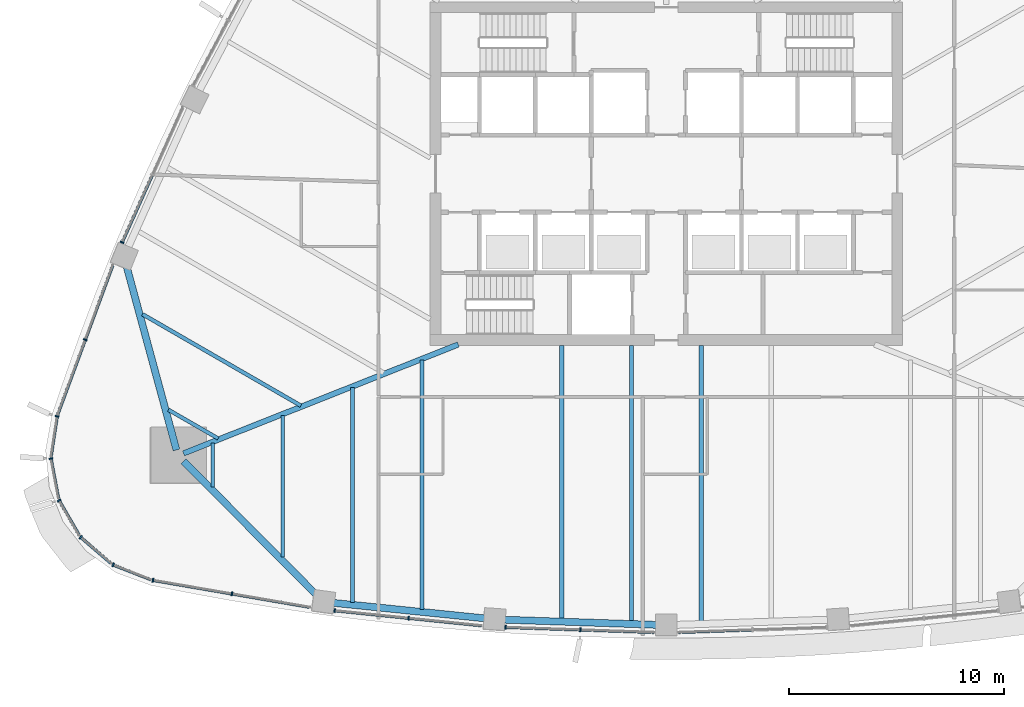
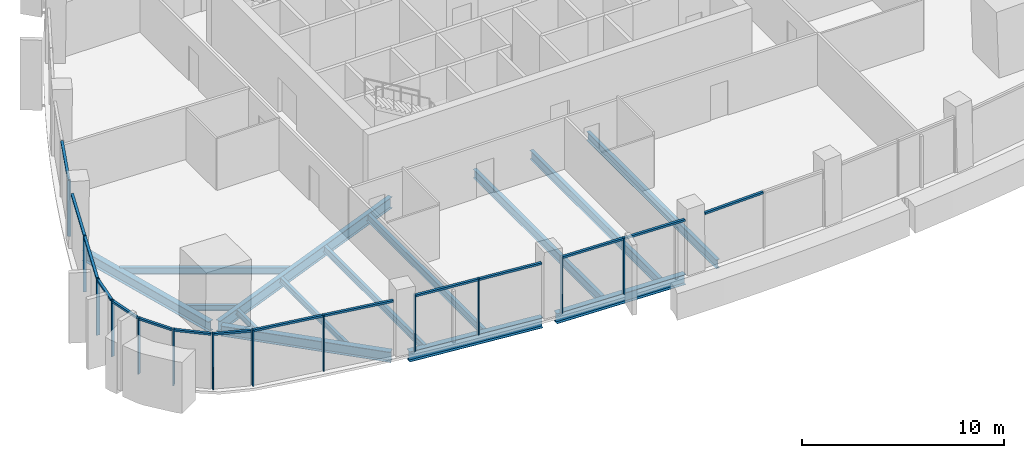
# One storey, part 2 of 19: 28 members, 14 beams, 11 elements without a shape of their own.
"""IFC4 building model written with IfcOpenShell, lengths in metres."""

from ifc_helpers import new_model, si_unit, direction, frame, origin, origin_2d, place, context, subcontext, project, spatial, rectangle, i_section, extrude, material, layer, layer_set, material_profile, profile_set, type_object, element, aggregate, save


model = new_model("IFC4")

# Units and contexts
model_context = context("Model", 3, precision=1e-05, world=origin(), true_north=direction((0.0, 1.0)))
body_context = subcontext(model_context, "Body", "Model", "MODEL_VIEW")
ifc_project = project(units=[si_unit("LENGTHUNIT", "METRE"), si_unit("AREAUNIT", "SQUARE_METRE"), si_unit("VOLUMEUNIT", "CUBIC_METRE"), si_unit("PLANEANGLEUNIT", "RADIAN"), si_unit("MASSUNIT", "GRAM", prefix="KILO")], contexts=[model_context])

# Site, building, storey
site_placement = place(None, origin())
site = spatial("IfcSite", under=ifc_project, at=site_placement, CompositionType="ELEMENT")
building_placement = place(site_placement, origin())
building = spatial("IfcBuilding", under=site, at=building_placement, Name="Sierra Prisma Convention Tower", CompositionType="ELEMENT")
storey_placement = place(building_placement, frame((0.0, 0.0, 209.800048828125)))
storey = spatial("IfcBuildingStorey", under=building, at=storey_placement, Name="L47", CompositionType="ELEMENT", Elevation=209.800048828125)

# Curtain wall, members
ifc_material_1 = material(Name="Aluminium and glass curtain wall", Category="aluminium")
ifc_layer = layer(ifc_material_1, 0.179931640625)
ifc_layer_set = layer_set([ifc_layer], Name="CW-1 Plain shaft curtain wall")
curtain_wall_type = type_object("IfcCurtainWallType", Name="CW-1 Plain shaft curtain wall", PredefinedType="NOTDEFINED", material=ifc_layer_set)
curtain_wall_1_placement = place(storey_placement, origin())
curtain_wall_1 = element("IfcCurtainWall", 1, at=curtain_wall_1_placement, inside=storey, type_object=curtain_wall_type, Name="CW-1 S1 L47", PredefinedType="NOTDEFINED")
ifc_material_2 = material(Name="Aluminium 6063-T6 bronze anodised", Category="aluminium")
ifc_material_profile_1 = material_profile(ifc_material_2, rectangle(XDim=0.179931640625, YDim=0.070068359375, at=origin_2d()), Name="ALU MULLION 70x180")
ifc_profile_set_1 = profile_set([ifc_material_profile_1], Name="Aluminium 6063-T6 bronze anodised")
member_type_1 = type_object("IfcMemberType", Name="CW mullion bronze", PredefinedType="MULLION", material=ifc_profile_set_1)
member_1_placement = place(storey_placement, frame((-23.903564453125, -18.933349609375, 0.0), z_axis=(0.0, 0.0, 1.0), x_axis=(0.1690553894, 0.985606551984, 0.0)))
member_1 = element("IfcMember", 2, at=member_1_placement, type_object=member_type_1, Name="CW-1 mullion S1.1", PredefinedType="MULLION", context=body_context, shape_type="SweptSolid", body=[
    extrude(rectangle(XDim=0.179931640625, YDim=0.070068359375, at=origin_2d()), origin(), (0.0, 0.0, 1.0), 3.39990234375),
])
member_2_placement = place(storey_placement, frame((-20.2255859375, -19.564208984375, 0.0), z_axis=(0.0, 0.0, 1.0), x_axis=(0.1690553894, 0.985606551984, 0.0)))
member_2 = element("IfcMember", 3, at=member_2_placement, type_object=member_type_1, Name="CW-1 mullion S1.2", PredefinedType="MULLION", context=body_context, shape_type="SweptSolid", body=[
    extrude(rectangle(XDim=0.179931640625, YDim=0.070068359375, at=origin_2d()), origin(), (0.0, 0.0, 1.0), 3.39990234375),
])

curtain_wall_2_placement = place(storey_placement, origin())
curtain_wall_2 = element("IfcCurtainWall", 4, at=curtain_wall_2_placement, inside=storey, type_object=curtain_wall_type, Name="CW-1 S2 L47", PredefinedType="NOTDEFINED")
member_3_placement = place(storey_placement, frame((-15.444091796875, -20.344482421875, 0.0), z_axis=(0.0, 0.0, 1.0), x_axis=(0.101746336288, 0.994810375424, 0.0)))
member_3 = element("IfcMember", 5, at=member_3_placement, type_object=member_type_1, Name="CW-1 mullion S2.1", PredefinedType="MULLION", context=body_context, shape_type="SweptSolid", body=[
    extrude(rectangle(XDim=0.179931640625, YDim=0.070068359375, at=origin_2d()), origin(), (0.0, 0.0, 1.0), 3.39990234375),
])
member_4_placement = place(storey_placement, frame((-12.00244140625, -20.696533203125, 0.0), z_axis=(0.0, 0.0, 1.0), x_axis=(0.101746336288, 0.994810375424, 0.0)))
member_4 = element("IfcMember", 6, at=member_4_placement, type_object=member_type_1, Name="CW-1 mullion S2.2", PredefinedType="MULLION", context=body_context, shape_type="SweptSolid", body=[
    extrude(rectangle(XDim=0.179931640625, YDim=0.070068359375, at=origin_2d()), origin(), (0.0, 0.0, 1.0), 3.39990234375),
])

curtain_wall_3_placement = place(storey_placement, origin())
curtain_wall_3 = element("IfcCurtainWall", 7, at=curtain_wall_3_placement, inside=storey, type_object=curtain_wall_type, Name="CW-1 S3 L47", PredefinedType="NOTDEFINED")
member_5_placement = place(storey_placement, frame((-7.481689453125, -21.121337890625, 0.0), z_axis=(0.0, 0.0, 1.0), x_axis=(0.033967701551, 0.999422931121, 0.0)))
member_5 = element("IfcMember", 8, at=member_5_placement, type_object=member_type_1, Name="CW-1 mullion S3.1", PredefinedType="MULLION", context=body_context, shape_type="SweptSolid", body=[
    extrude(rectangle(XDim=0.179931640625, YDim=0.070068359375, at=origin_2d()), origin(), (0.0, 0.0, 1.0), 3.39990234375),
])
member_6_placement = place(storey_placement, frame((-4.008056640625, -21.239501953125, 0.0), z_axis=(0.0, 0.0, 1.0), x_axis=(0.033967701551, 0.999422931121, 0.0)))
member_6 = element("IfcMember", 9, at=member_6_placement, type_object=member_type_1, Name="CW-1 mullion S3.2", PredefinedType="MULLION", context=body_context, shape_type="SweptSolid", body=[
    extrude(rectangle(XDim=0.179931640625, YDim=0.070068359375, at=origin_2d()), origin(), (0.0, 0.0, 1.0), 3.39990234375),
])

# Curtain wall, member
curtain_wall_4_placement = place(storey_placement, origin())
curtain_wall_4 = element("IfcCurtainWall", 10, at=curtain_wall_4_placement, inside=storey, type_object=curtain_wall_type, Name="CW-1 NW5 L47", PredefinedType="NOTDEFINED")
member_7_placement = place(storey_placement, frame((-25.3408203125, -3.20263671875, 0.0), z_axis=(0.0, 0.0, 1.0), x_axis=(0.91240422521, -0.409290275745, 0.0)))
member_7 = element("IfcMember", 11, at=member_7_placement, type_object=member_type_1, Name="CW-1 mullion NW5.3", PredefinedType="MULLION", context=body_context, shape_type="SweptSolid", body=[
    extrude(rectangle(XDim=0.179931640625, YDim=0.070068359375, at=origin_2d()), origin(), (0.0, 0.0, 1.0), 3.39990234375),
])

curtain_wall_5_placement = place(storey_placement, origin())
curtain_wall_5 = element("IfcCurtainWall", 12, at=curtain_wall_5_placement, inside=storey, type_object=curtain_wall_type, Name="CW-1 NW6 L47", PredefinedType="NOTDEFINED")
member_8_placement = place(storey_placement, frame((-27.055908203125, -7.73388671875, 0.0), z_axis=(0.0, 0.0, 1.0), x_axis=(0.938088006855, -0.346397014125, 0.0)))
member_8 = element("IfcMember", 13, at=member_8_placement, type_object=member_type_1, Name="CW-1 mullion NW6.2", PredefinedType="MULLION", context=body_context, shape_type="SweptSolid", body=[
    extrude(rectangle(XDim=0.179931640625, YDim=0.070068359375, at=origin_2d()), origin(), (0.0, 0.0, 1.0), 3.39990234375),
])

curtain_wall_6_placement = place(storey_placement, origin())
curtain_wall_6 = element("IfcCurtainWall", 14, at=curtain_wall_6_placement, inside=storey, type_object=curtain_wall_type, Name="CW-1 SW1 L47", PredefinedType="NOTDEFINED")
member_9_placement = place(storey_placement, frame((-28.365966796875, -11.3017578125, 0.0), z_axis=(0.0, 0.0, 1.0), x_axis=(0.98860866746, -0.150508812441, 0.0)))
member_9 = element("IfcMember", 15, at=member_9_placement, type_object=member_type_1, Name="CW-1 mullion SW1.1", PredefinedType="MULLION", context=body_context, shape_type="SweptSolid", body=[
    extrude(rectangle(XDim=0.179931640625, YDim=0.070068359375, at=origin_2d()), origin(), (0.0, 0.0, 1.0), 3.39990234375),
])

curtain_wall_7_placement = place(storey_placement, origin())
curtain_wall_7 = element("IfcCurtainWall", 16, at=curtain_wall_7_placement, inside=storey, type_object=curtain_wall_type, Name="CW-1 SW2 L47", PredefinedType="NOTDEFINED")
member_10_placement = place(storey_placement, frame((-28.6533203125, -13.26708984375, 0.0), z_axis=(0.0, 0.0, 1.0), x_axis=(0.982704082276, 0.185182846611, 0.0)))
member_10 = element("IfcMember", 17, at=member_10_placement, type_object=member_type_1, Name="CW-1 mullion SW2.1", PredefinedType="MULLION", context=body_context, shape_type="SweptSolid", body=[
    extrude(rectangle(XDim=0.179931640625, YDim=0.070068359375, at=origin_2d()), origin(), (0.0, 0.0, 1.0), 3.39990234375),
])

curtain_wall_8_placement = place(storey_placement, origin())
curtain_wall_8 = element("IfcCurtainWall", 18, at=curtain_wall_8_placement, inside=storey, type_object=curtain_wall_type, Name="CW-1 SW3 L47", PredefinedType="NOTDEFINED")
member_11_placement = place(storey_placement, frame((-28.274169921875, -15.216796875, 0.0), z_axis=(0.0, 0.0, 1.0), x_axis=(0.866025403784, 0.5, 0.0)))
member_11 = element("IfcMember", 19, at=member_11_placement, type_object=member_type_1, Name="CW-1 mullion SW3.1", PredefinedType="MULLION", context=body_context, shape_type="SweptSolid", body=[
    extrude(rectangle(XDim=0.179931640625, YDim=0.070068359375, at=origin_2d()), origin(), (0.0, 0.0, 1.0), 3.39990234375),
])

curtain_wall_9_placement = place(storey_placement, origin())
curtain_wall_9 = element("IfcCurtainWall", 20, at=curtain_wall_9_placement, inside=storey, type_object=curtain_wall_type, Name="CW-1 SW4 L47", PredefinedType="NOTDEFINED")
member_12_placement = place(storey_placement, frame((-27.271240234375, -16.930908203125, 0.0), z_axis=(0.0, 0.0, 1.0), x_axis=(0.651725090648, 0.758455276348, 0.0)))
member_12 = element("IfcMember", 21, at=member_12_placement, type_object=member_type_1, Name="CW-1 mullion SW4.1", PredefinedType="MULLION", context=body_context, shape_type="SweptSolid", body=[
    extrude(rectangle(XDim=0.179931640625, YDim=0.070068359375, at=origin_2d()), origin(), (0.0, 0.0, 1.0), 3.39990234375),
])

curtain_wall_10_placement = place(storey_placement, origin())
curtain_wall_10 = element("IfcCurtainWall", 22, at=curtain_wall_10_placement, inside=storey, type_object=curtain_wall_type, Name="CW-1 SW5 L47", PredefinedType="NOTDEFINED")
member_13_placement = place(storey_placement, frame((-25.757080078125, -18.216552734375, 0.0), z_axis=(0.0, 0.0, 1.0), x_axis=(0.363959878663, 0.931414626642, 0.0)))
member_13 = element("IfcMember", 23, at=member_13_placement, type_object=member_type_1, Name="CW-1 mullion SW5.1", PredefinedType="MULLION", context=body_context, shape_type="SweptSolid", body=[
    extrude(rectangle(XDim=0.179931640625, YDim=0.070068359375, at=origin_2d()), origin(), (0.0, 0.0, 1.0), 3.39990234375),
])

# Member
ifc_material_3 = material(Name="Aluminium 6063-T6 bronze anodised", Category="aluminium")
ifc_material_profile_2 = material_profile(ifc_material_3, rectangle(XDim=0.139892578125, YDim=0.1201171875, at=origin_2d()), Name="ALU TRANSOM 120x140")
ifc_profile_set_2 = profile_set([ifc_material_profile_2], Name="Aluminium 6063-T6 bronze anodised")
member_type_2 = type_object("IfcMemberType", Name="CW transom bronze", PredefinedType="USERDEFINED", material=ifc_profile_set_2)
member_14_placement = place(storey_placement, frame((-23.869140625, -18.939208984375, 3.33984375), z_axis=(0.985602579823, -0.169078545791, 0.0), x_axis=(0.169078545791, 0.985602579823, 0.0)))
member_14 = element("IfcMember", 24, at=member_14_placement, type_object=member_type_2, Name="CW-1 transom S1.1", ObjectType="TRANSOM", PredefinedType="USERDEFINED", context=body_context, shape_type="SweptSolid", body=[
    extrude(rectangle(XDim=0.139892578125, YDim=0.1201171875, at=origin_2d()), origin(), (0.0, 0.0, 1.0), 3.661865234375),
])

member_15_placement = place(storey_placement, frame((-20.191162109375, -19.570068359375, 3.33984375), z_axis=(0.985602579823, -0.169078545791, 0.0), x_axis=(0.169078545791, 0.985602579823, 0.0)))
member_15 = element("IfcMember", 25, at=member_15_placement, type_object=member_type_2, Name="CW-1 transom S1.2", ObjectType="TRANSOM", PredefinedType="USERDEFINED", context=body_context, shape_type="SweptSolid", body=[
    extrude(rectangle(XDim=0.139892578125, YDim=0.1201171875, at=origin_2d()), origin(), (0.0, 0.0, 1.0), 3.661865234375),
])

aggregate(curtain_wall_1, [member_1, member_2, member_14, member_15])

member_16_placement = place(storey_placement, frame((-15.4091796875, -20.347900390625, 3.33984375), z_axis=(0.994807088601, -0.101778467612, 0.0), x_axis=(0.101778467612, 0.994807088601, 0.0)))
member_16 = element("IfcMember", 26, at=member_16_placement, type_object=member_type_2, Name="CW-1 transom S2.1", ObjectType="TRANSOM", PredefinedType="USERDEFINED", context=body_context, shape_type="SweptSolid", body=[
    extrude(rectangle(XDim=0.139892578125, YDim=0.1201171875, at=origin_2d()), origin(), (0.0, 0.0, 1.0), 3.389404296875),
])

member_17_placement = place(storey_placement, frame((-11.967529296875, -20.699951171875, 3.33984375), z_axis=(0.994807088601, -0.101778467612, 0.0), x_axis=(0.101778467612, 0.994807088601, 0.0)))
member_17 = element("IfcMember", 27, at=member_17_placement, type_object=member_type_2, Name="CW-1 transom S2.2", ObjectType="TRANSOM", PredefinedType="USERDEFINED", context=body_context, shape_type="SweptSolid", body=[
    extrude(rectangle(XDim=0.139892578125, YDim=0.1201171875, at=origin_2d()), origin(), (0.0, 0.0, 1.0), 3.389404296875),
])

aggregate(curtain_wall_2, [member_3, member_4, member_16, member_17])

member_18_placement = place(storey_placement, frame((-7.446533203125, -21.12255859375, 3.33984375), z_axis=(0.999422403248, -0.033983229493, 0.0), x_axis=(0.033983229493, 0.999422403248, 0.0)))
member_18 = element("IfcMember", 28, at=member_18_placement, type_object=member_type_2, Name="CW-1 transom S3.1", ObjectType="TRANSOM", PredefinedType="USERDEFINED", context=body_context, shape_type="SweptSolid", body=[
    extrude(rectangle(XDim=0.139892578125, YDim=0.1201171875, at=origin_2d()), origin(), (0.0, 0.0, 1.0), 3.4052734375),
])

member_19_placement = place(storey_placement, frame((-3.97314453125, -21.24072265625, 3.33984375), z_axis=(0.999422486036, -0.033980794662, 0.0), x_axis=(0.033980794662, 0.999422486036, 0.0)))
member_19 = element("IfcMember", 29, at=member_19_placement, type_object=member_type_2, Name="CW-1 transom S3.2", ObjectType="TRANSOM", PredefinedType="USERDEFINED", context=body_context, shape_type="SweptSolid", body=[
    extrude(rectangle(XDim=0.139892578125, YDim=0.1201171875, at=origin_2d()), origin(), (0.0, 0.0, 1.0), 3.405517578125),
])

aggregate(curtain_wall_3, [member_5, member_6, member_18, member_19])

# Curtain wall, member
curtain_wall_11_placement = place(storey_placement, origin())
curtain_wall_11 = element("IfcCurtainWall", 30, at=curtain_wall_11_placement, inside=storey, type_object=curtain_wall_type, Name="CW-1 S4 L47", PredefinedType="NOTDEFINED")
member_20_placement = place(storey_placement, frame((0.569580078125, -21.3564453125, 3.33984375), z_axis=(0.999422486036, 0.033980794662, 0.0), x_axis=(-0.033980794662, 0.999422486036, 0.0)))
member_20 = element("IfcMember", 31, at=member_20_placement, type_object=member_type_2, Name="CW-1 transom S4.1", ObjectType="TRANSOM", PredefinedType="USERDEFINED", context=body_context, shape_type="SweptSolid", body=[
    extrude(rectangle(XDim=0.139892578125, YDim=0.1201171875, at=origin_2d()), origin(), (0.0, 0.0, 1.0), 3.405517578125),
])
aggregate(curtain_wall_11, [member_20])

# Member
member_21_placement = place(storey_placement, frame((-23.939208984375, -0.078125, 3.33984375), z_axis=(-0.409250293014, -0.912422159786, 0.0), x_axis=(0.912422159786, -0.409250293014, 0.0)))
member_21 = element("IfcMember", 32, at=member_21_placement, type_object=member_type_2, Name="CW-1 transom NW5.2", ObjectType="TRANSOM", PredefinedType="USERDEFINED", context=body_context, shape_type="SweptSolid", body=[
    extrude(rectangle(XDim=0.139892578125, YDim=0.1201171875, at=origin_2d()), origin(), (0.0, 0.0, 1.0), 3.3896484375),
])

aggregate(curtain_wall_4, [member_7, member_21])

member_22_placement = place(storey_placement, frame((-25.775390625, -4.26611328125, 3.33984375), z_axis=(-0.346391234773, -0.93809014091, 0.0), x_axis=(0.93809014091, -0.346391234773, 0.0)))
member_22 = element("IfcMember", 33, at=member_22_placement, type_object=member_type_2, Name="CW-1 transom NW6.1", ObjectType="TRANSOM", PredefinedType="USERDEFINED", context=body_context, shape_type="SweptSolid", body=[
    extrude(rectangle(XDim=0.139892578125, YDim=0.1201171875, at=origin_2d()), origin(), (0.0, 0.0, 1.0), 3.661376953125),
])

member_23_placement = place(storey_placement, frame((-27.068115234375, -7.7666015625, 3.33984375), z_axis=(-0.346369569334, -0.938098140622, 0.0), x_axis=(0.938098140622, -0.346369569334, 0.0)))
member_23 = element("IfcMember", 34, at=member_23_placement, type_object=member_type_2, Name="CW-1 transom NW6.2", ObjectType="TRANSOM", PredefinedType="USERDEFINED", context=body_context, shape_type="SweptSolid", body=[
    extrude(rectangle(XDim=0.139892578125, YDim=0.1201171875, at=origin_2d()), origin(), (0.0, 0.0, 1.0), 3.66162109375),
])

aggregate(curtain_wall_5, [member_8, member_22, member_23])

member_24_placement = place(storey_placement, frame((-28.37109375, -11.33642578125, 3.33984375), z_axis=(-0.150587940144, -0.988596617576, 0.0), x_axis=(0.988596617576, -0.150587940144, 0.0)))
member_24 = element("IfcMember", 35, at=member_24_placement, type_object=member_type_2, Name="CW-1 transom SW1.1", ObjectType="TRANSOM", PredefinedType="USERDEFINED", context=body_context, shape_type="SweptSolid", body=[
    extrude(rectangle(XDim=0.139892578125, YDim=0.1201171875, at=origin_2d()), origin(), (0.0, 0.0, 1.0), 1.84814453125),
])

aggregate(curtain_wall_6, [member_9, member_24])

member_25_placement = place(storey_placement, frame((-28.64697265625, -13.301513671875, 3.33984375), z_axis=(0.185205684798, -0.982699778324, 0.0), x_axis=(0.982699778324, 0.185205684798, 0.0)))
member_25 = element("IfcMember", 36, at=member_25_placement, type_object=member_type_2, Name="CW-1 transom SW2.1", ObjectType="TRANSOM", PredefinedType="USERDEFINED", context=body_context, shape_type="SweptSolid", body=[
    extrude(rectangle(XDim=0.139892578125, YDim=0.1201171875, at=origin_2d()), origin(), (0.0, 0.0, 1.0), 1.84814453125),
])

aggregate(curtain_wall_7, [member_10, member_25])

member_26_placement = place(storey_placement, frame((-28.256591796875, -15.2470703125, 3.33984375), z_axis=(0.499947380289, -0.866055781658, 0.0), x_axis=(0.866055781658, 0.499947380289, 0.0)))
member_26 = element("IfcMember", 37, at=member_26_placement, type_object=member_type_2, Name="CW-1 transom SW3.1", ObjectType="TRANSOM", PredefinedType="USERDEFINED", context=body_context, shape_type="SweptSolid", body=[
    extrude(rectangle(XDim=0.139892578125, YDim=0.1201171875, at=origin_2d()), origin(), (0.0, 0.0, 1.0), 1.847900390625),
])

aggregate(curtain_wall_8, [member_11, member_26])

member_27_placement = place(storey_placement, frame((-27.24462890625, -16.953857421875, 3.33984375), z_axis=(0.758519462966, -0.651650385024, 0.0), x_axis=(0.651650385024, 0.758519462966, 0.0)))
member_27 = element("IfcMember", 38, at=member_27_placement, type_object=member_type_2, Name="CW-1 transom SW4.1", ObjectType="TRANSOM", PredefinedType="USERDEFINED", context=body_context, shape_type="SweptSolid", body=[
    extrude(rectangle(XDim=0.139892578125, YDim=0.1201171875, at=origin_2d()), origin(), (0.0, 0.0, 1.0), 1.84814453125),
])

aggregate(curtain_wall_9, [member_12, member_27])

member_28_placement = place(storey_placement, frame((-25.724609375, -18.229248046875, 3.33984375), z_axis=(0.931425867343, -0.363931111123, 0.0), x_axis=(0.363931111123, 0.931425867343, 0.0)))
member_28 = element("IfcMember", 39, at=member_28_placement, type_object=member_type_2, Name="CW-1 transom SW5.1", ObjectType="TRANSOM", PredefinedType="USERDEFINED", context=body_context, shape_type="SweptSolid", body=[
    extrude(rectangle(XDim=0.139892578125, YDim=0.1201171875, at=origin_2d()), origin(), (0.0, 0.0, 1.0), 1.84814453125),
])

aggregate(curtain_wall_10, [member_13, member_28])

# Beams
ifc_material_4 = material(Name="Steel ASTM A992 Gr 50", Category="steel")
ifc_material_profile_3 = material_profile(ifc_material_4, i_section(OverallWidth=0.172119140625, OverallDepth=0.35791015625, WebThickness=0.0078125, FlangeThickness=0.01318359375, at=origin_2d()), Name="W360x57")
ifc_profile_set_3 = profile_set([ifc_material_profile_3], Name="Steel ASTM A992 Gr 50")
beam_type_1 = type_object("IfcBeamType", Name="Floor joist W360x57", PredefinedType="JOIST", material=ifc_profile_set_3)
beam_1_placement = place(storey_placement, frame((-21.114990234375, -14.582763671875, -0.3291015625), z_axis=(0.0, 1.0, 0.0), x_axis=(-1.0, 0.0, 0.0)))
element("IfcBeam", 40, at=beam_1_placement, inside=storey, type_object=beam_type_1, Name="Floor joist L47 S01", PredefinedType="JOIST", context=body_context, shape_type="SweptSolid", body=[
    extrude(i_section(OverallWidth=0.172119140625, OverallDepth=0.35791015625, WebThickness=0.0078125, FlangeThickness=0.01318359375, at=origin_2d()), origin(), (0.0, 0.0, 1.0), 2.043212890625),
])
beam_2_placement = place(storey_placement, frame((-17.86669921875, -17.852294921875, -0.3291015625), z_axis=(0.0, 1.0, 0.0), x_axis=(-1.0, 0.0, 0.0)))
element("IfcBeam", 41, at=beam_2_placement, inside=storey, type_object=beam_type_1, Name="Floor joist L47 S02", PredefinedType="JOIST", context=body_context, shape_type="SweptSolid", body=[
    extrude(i_section(OverallWidth=0.172119140625, OverallDepth=0.35791015625, WebThickness=0.0078125, FlangeThickness=0.01318359375, at=origin_2d()), origin(), (0.0, 0.0, 1.0), 6.600341796875),
])
beam_3_placement = place(storey_placement, frame((-23.1865234375, -10.994873046875, -0.3291015625), z_axis=(0.866010840057, -0.500025224267, 0.0), x_axis=(0.500025224267, 0.866010840057, 0.0)))
element("IfcBeam", 42, at=beam_3_placement, inside=storey, type_object=beam_type_1, Name="Floor joist L47 NW14", PredefinedType="JOIST", context=body_context, shape_type="SweptSolid", body=[
    extrude(i_section(OverallWidth=0.172119140625, OverallDepth=0.35791015625, WebThickness=0.0078125, FlangeThickness=0.01318359375, at=origin_2d()), origin(), (0.0, 0.0, 1.0), 2.675537109375),
])
ifc_material_5 = material(Name="Steel ASTM A992 Gr 50", Category="steel")
ifc_material_profile_4 = material_profile(ifc_material_5, i_section(OverallWidth=0.177978515625, OverallDepth=0.406982421875, WebThickness=0.0078125, FlangeThickness=0.0126953125, at=origin_2d()), Name="W410x60")
ifc_profile_set_4 = profile_set([ifc_material_profile_4], Name="Steel ASTM A992 Gr 50")
beam_type_2 = type_object("IfcBeamType", Name="Floor joist W410x60", PredefinedType="JOIST", material=ifc_profile_set_4)
beam_4_placement = place(storey_placement, frame((-14.6181640625, -19.9638671875, -0.353515625), z_axis=(0.0, 1.0, 0.0), x_axis=(-1.0, 0.0, 0.0)))
element("IfcBeam", 43, at=beam_4_placement, inside=storey, type_object=beam_type_2, Name="Floor joist L47 S03", PredefinedType="JOIST", context=body_context, shape_type="SweptSolid", body=[
    extrude(i_section(OverallWidth=0.177978515625, OverallDepth=0.406982421875, WebThickness=0.0078125, FlangeThickness=0.0126953125, at=origin_2d()), origin(), (0.0, 0.0, 1.0), 9.99951171875),
])
beam_5_placement = place(storey_placement, frame((-24.393798828125, -6.546875, -0.353515625), z_axis=(0.866020915732, -0.500007773455, 0.0), x_axis=(0.500007773455, 0.866020915732, 0.0)))
element("IfcBeam", 44, at=beam_5_placement, inside=storey, type_object=beam_type_2, Name="Floor joist L47 NW13", PredefinedType="JOIST", context=body_context, shape_type="SweptSolid", body=[
    extrude(i_section(OverallWidth=0.177978515625, OverallDepth=0.406982421875, WebThickness=0.0078125, FlangeThickness=0.0126953125, at=origin_2d()), origin(), (0.0, 0.0, 1.0), 8.517822265625),
])
ifc_material_6 = material(Name="Steel ASTM A992 Gr 50", Category="steel")
ifc_material_profile_5 = material_profile(ifc_material_6, i_section(OverallWidth=0.18994140625, OverallDepth=0.45703125, WebThickness=0.009033203125, FlangeThickness=0.014404296875, at=origin_2d()), Name="W460x74")
ifc_profile_set_5 = profile_set([ifc_material_profile_5], Name="Steel ASTM A992 Gr 50")
beam_type_3 = type_object("IfcBeamType", Name="Floor joist W460x74", PredefinedType="JOIST", material=ifc_profile_set_5)
beam_6_placement = place(storey_placement, frame((-11.36962890625, -20.296142578125, -0.378662109375), z_axis=(0.0, 1.0, 0.0), x_axis=(-1.0, 0.0, 0.0)))
element("IfcBeam", 45, at=beam_6_placement, inside=storey, type_object=beam_type_3, Name="Floor joist L47 S04", PredefinedType="JOIST", context=body_context, shape_type="SweptSolid", body=[
    extrude(i_section(OverallWidth=0.18994140625, OverallDepth=0.45703125, WebThickness=0.009033203125, FlangeThickness=0.014404296875, at=origin_2d()), origin(), (0.0, 0.0, 1.0), 11.619384765625),
])
ifc_material_7 = material(Name="Steel ASTM A992 Gr 50", Category="steel")
ifc_material_profile_6 = material_profile(ifc_material_7, i_section(OverallWidth=0.208984375, OverallDepth=0.532958984375, WebThickness=0.01025390625, FlangeThickness=0.015625, at=origin_2d()), Name="W530x92")
ifc_profile_set_6 = profile_set([ifc_material_profile_6], Name="Steel ASTM A992 Gr 50")
beam_type_4 = type_object("IfcBeamType", Name="Floor joist W530x92", PredefinedType="JOIST", material=ifc_profile_set_6)
beam_7_placement = place(storey_placement, frame((-4.872802734375, -20.74755859375, -0.41650390625), z_axis=(0.0, 1.0, 0.0), x_axis=(-1.0, 0.0, 0.0)))
element("IfcBeam", 46, at=beam_7_placement, inside=storey, type_object=beam_type_4, Name="Floor joist L47 S06", PredefinedType="JOIST", context=body_context, shape_type="SweptSolid", body=[
    extrude(i_section(OverallWidth=0.208984375, OverallDepth=0.532958984375, WebThickness=0.01025390625, FlangeThickness=0.015625, at=origin_2d()), origin(), (0.0, 0.0, 1.0), 12.74755859375),
])
for number, where, z_axis, x_axis, name in (
    (47, (-1.624267578125, -20.85791015625, -0.41650390625), (0.0, 1.0, 0.0), (-1.0, 0.0, 0.0), "Floor joist L47 S07"),
    (48, (1.624267578125, -20.85791015625, -0.41650390625), (0.0, 1.0, 0.0), (-1.0, 0.0, 0.0), "Floor joist L47 S08"),
):
    element("IfcBeam", number, at=place(storey_placement, frame(where, z_axis=z_axis, x_axis=x_axis)), inside=storey, type_object=beam_type_4, Name=name, PredefinedType="JOIST", context=body_context, shape_type="SweptSolid", body=[
        extrude(i_section(OverallWidth=0.208984375, OverallDepth=0.532958984375, WebThickness=0.01025390625, FlangeThickness=0.015625, at=origin_2d()), origin(), (0.0, 0.0, 1.0), 12.85791015625),
    ])
ifc_material_8 = material(Name="Steel ASTM A992 Gr 50", Category="steel")
ifc_material_profile_7 = material_profile(ifc_material_8, i_section(OverallWidth=0.25390625, OverallDepth=0.68408203125, WebThickness=0.012451171875, FlangeThickness=0.018798828125, at=origin_2d()), Name="W690x140")
ifc_profile_set_7 = profile_set([ifc_material_profile_7], Name="Steel ASTM A992 Gr 50")
beam_type_5 = type_object("IfcBeamType", Name="Radial girder W690x140", PredefinedType="BEAM", material=ifc_profile_set_7)
beam_8_placement = place(storey_placement, frame((-22.479248046875, -13.025634765625, -0.491943359375), z_axis=(0.929637122266, 0.368476350537, 0.0), x_axis=(-0.368476350537, 0.929637122266, 0.0)))
element("IfcBeam", 49, at=beam_8_placement, inside=storey, type_object=beam_type_5, Name="Radial girder L47 SW", PredefinedType="BEAM", context=body_context, shape_type="SweptSolid", body=[
    extrude(i_section(OverallWidth=0.25390625, OverallDepth=0.68408203125, WebThickness=0.012451171875, FlangeThickness=0.018798828125, at=origin_2d()), origin(), (0.0, 0.0, 1.0), 13.7587890625),
])
ifc_material_9 = material(Name="Steel ASTM A992 Gr 50", Category="steel")
ifc_material_profile_8 = material_profile(ifc_material_9, i_section(OverallWidth=0.324951171875, OverallDepth=0.615966796875, WebThickness=0.013916015625, FlangeThickness=0.021484375, at=origin_2d()), Name="W610x174")
ifc_profile_set_8 = profile_set([ifc_material_profile_8], Name="Steel ASTM A992 Gr 50")
beam_type_6 = type_object("IfcBeamType", Name="Spandrel beam W610x174", PredefinedType="BEAM", material=ifc_profile_set_8)
beam_9_placement = place(storey_placement, frame((-22.48095703125, -13.388671875, -0.4580078125), z_axis=(0.704822350859, -0.709383854996, 0.0), x_axis=(0.709383854996, 0.704822350859, 0.0)))
element("IfcBeam", 50, at=beam_9_placement, inside=storey, type_object=beam_type_6, Name="Spandrel L47-01", PredefinedType="BEAM", context=body_context, shape_type="SweptSolid", body=[
    extrude(i_section(OverallWidth=0.324951171875, OverallDepth=0.615966796875, WebThickness=0.013916015625, FlangeThickness=0.021484375, at=origin_2d()), origin(), (0.0, 0.0, 1.0), 8.72412109375),
])
for number, where, z_axis, x_axis, name in (
    (51, (-15.594482421875, -19.977294921875, -0.4580078125), (0.994810236263, -0.101747696914, 0.0), (0.101747696914, 0.994810236263, 0.0), "Spandrel L47-02"),
    (52, (-7.624755859375, -20.7666015625, -0.4580078125), (0.999423547891, -0.033949549649, 0.0), (0.033949549649, 0.999423547891, 0.0), "Spandrel L47-03"),
):
    element("IfcBeam", number, at=place(storey_placement, frame(where, z_axis=z_axis, x_axis=x_axis)), inside=storey, type_object=beam_type_6, Name=name, PredefinedType="BEAM", context=body_context, shape_type="SweptSolid", body=[
        extrude(i_section(OverallWidth=0.324951171875, OverallDepth=0.615966796875, WebThickness=0.013916015625, FlangeThickness=0.021484375, at=origin_2d()), origin(), (0.0, 0.0, 1.0), 7.248779296875),
    ])
beam_10_placement = place(storey_placement, frame((-25.120361328125, -4.355224609375, -0.4580078125), z_axis=(0.261925222944, -0.965088170887, 0.0), x_axis=(0.965088170887, 0.261925222944, 0.0)))
element("IfcBeam", 53, at=beam_10_placement, inside=storey, type_object=beam_type_6, Name="Spandrel L47-18", PredefinedType="BEAM", context=body_context, shape_type="SweptSolid", body=[
    extrude(i_section(OverallWidth=0.324951171875, OverallDepth=0.615966796875, WebThickness=0.013916015625, FlangeThickness=0.021484375, at=origin_2d()), origin(), (0.0, 0.0, 1.0), 8.8212890625),
])

save(model, "model.ifc")
